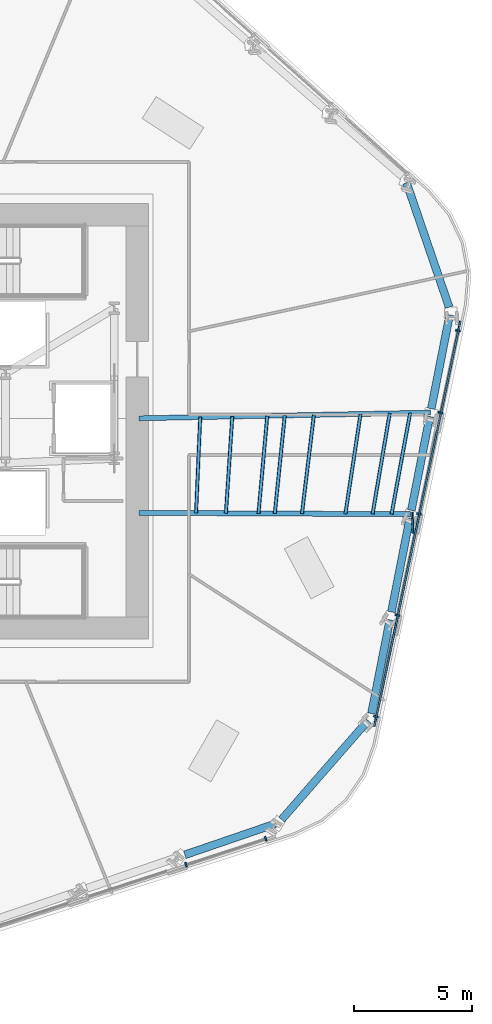
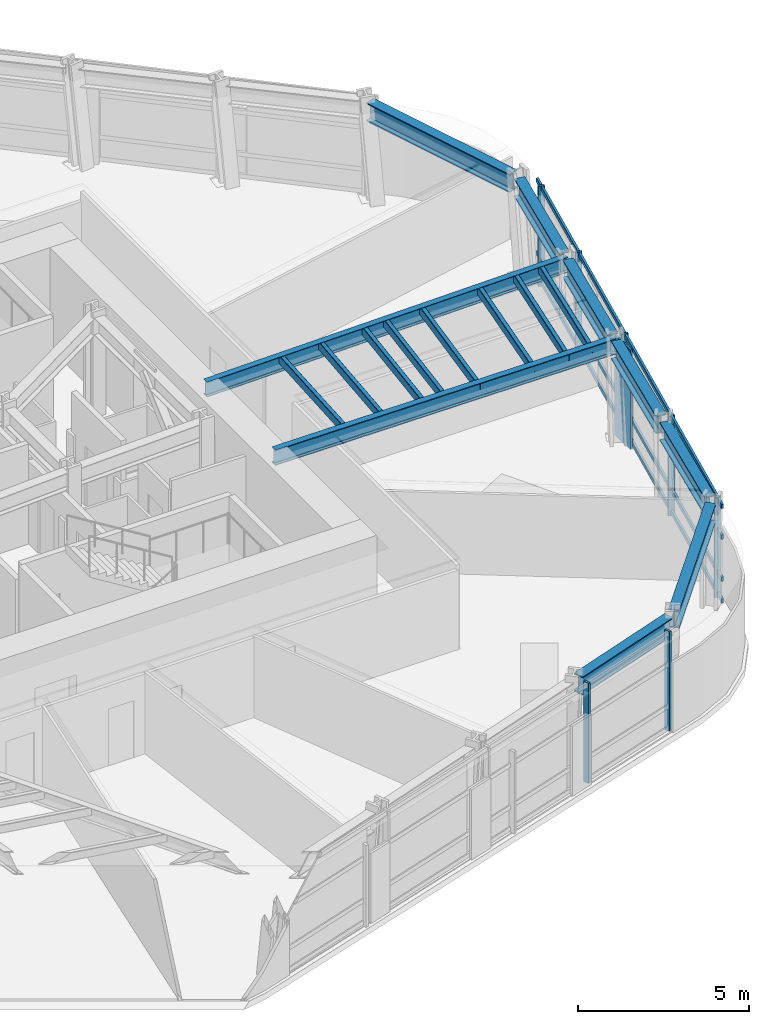
# One storey, part 5 of 16: 20 members, 9 beams, 2 elements without a shape of their own.
"""IFC4 building model written with IfcOpenShell, lengths in metres."""

from ifc_helpers import new_model, si_unit, direction, frame, origin, origin_2d, place, context, subcontext, project, spatial, rectangle, hollow_rectangle, i_section, extrude, material, layer, layer_set, material_profile, profile_set, type_object, element, aggregate, save


model = new_model("IFC4")

# Units and contexts
model_context = context("Model", 3, precision=1e-05, world=origin(), true_north=direction((0.0, 1.0)))
body_context = subcontext(model_context, "Body", "Model", "MODEL_VIEW")
ifc_project = project(units=[si_unit("LENGTHUNIT", "METRE"), si_unit("AREAUNIT", "SQUARE_METRE"), si_unit("VOLUMEUNIT", "CUBIC_METRE"), si_unit("PLANEANGLEUNIT", "RADIAN"), si_unit("MASSUNIT", "GRAM", prefix="KILO")], contexts=[model_context])

# Site, building, storey
site_placement = place(None, origin())
site = spatial("IfcSite", under=ifc_project, at=site_placement, CompositionType="ELEMENT")
building_placement = place(site_placement, origin())
building = spatial("IfcBuilding", under=site, at=building_placement, Name="Valkerne Bourse Tower", CompositionType="ELEMENT")
storey_placement = place(building_placement, frame((0.0, 0.0, 101.0)))
storey = spatial("IfcBuildingStorey", under=building, at=storey_placement, Name="L25", CompositionType="ELEMENT", Elevation=101.0)

# Beams
ifc_material_1 = material(Name="Steel ASTM A992", Category="steel")
ifc_material_profile_1 = material_profile(ifc_material_1, i_section(OverallWidth=0.209228515625, OverallDepth=0.533447265625, WebThickness=0.01025390625, FlangeThickness=0.015625, FilletRadius=0.017822265625, at=origin_2d()), Name="W21X62")
ifc_profile_set_1 = profile_set([ifc_material_profile_1], Name="Steel ASTM A992")
beam_type_1 = type_object("IfcBeamType", Name="BM-W21X62", PredefinedType="JOIST", material=ifc_profile_set_1)
beam_1_placement = place(storey_placement, frame((68.3369140625, 27.2412109375, 3.313232421875), z_axis=(-0.999808915076, -0.019548230984, 0.0), x_axis=(0.019548230984, -0.999808915076, 0.0)))
element("IfcBeam", 1, at=beam_1_placement, inside=storey, type_object=beam_type_1, Name="L25 Radial Composite Floor Beam 28", PredefinedType="JOIST", context=body_context, shape_type="SweptSolid", body=[
    extrude(i_section(OverallWidth=0.209228515625, OverallDepth=0.533447265625, WebThickness=0.01025390625, FlangeThickness=0.015625, FilletRadius=0.017822265625, at=origin_2d()), origin(), (0.0, 0.0, 1.0), 12.33935546875),
])
ifc_material_profile_2 = material_profile(ifc_material_1, i_section(OverallWidth=0.2138671875, OverallDepth=0.548583984375, WebThickness=0.0146484375, FlangeThickness=0.023681640625, FilletRadius=0.017822265625, at=origin_2d()), Name="W21X93")
ifc_profile_set_2 = profile_set([ifc_material_profile_2], Name="Steel ASTM A992")
beam_type_2 = type_object("IfcBeamType", Name="BM-W21X93", PredefinedType="BEAM", material=ifc_profile_set_2)
beam_2_placement = place(storey_placement, frame((67.4931640625, 22.940185546875, 3.3056640625), z_axis=(-0.999986457643, 0.005204279933, 0.0), x_axis=(-0.005204279933, -0.999986457643, 0.0)))
element("IfcBeam", 2, at=beam_2_placement, inside=storey, type_object=beam_type_2, Name="L25 Radial Composite Floor Beam 27", PredefinedType="BEAM", context=body_context, shape_type="SweptSolid", body=[
    extrude(i_section(OverallWidth=0.2138671875, OverallDepth=0.548583984375, WebThickness=0.0146484375, FlangeThickness=0.023681640625, FilletRadius=0.017822265625, at=origin_2d()), origin(), (0.0, 0.0, 1.0), 11.493408203125),
])
ifc_material_profile_3 = material_profile(ifc_material_1, i_section(OverallWidth=0.330078125, OverallDepth=0.647705078125, WebThickness=0.0205078125, FlangeThickness=0.037109375, FilletRadius=0.020263671875, at=origin_2d()), Name="W24X192")
ifc_profile_set_3 = profile_set([ifc_material_profile_3], Name="Steel ASTM A992")
beam_type_3 = type_object("IfcBeamType", Name="BM-W24X192", PredefinedType="SPANDREL", material=ifc_profile_set_3)
beam_3_placement = place(storey_placement, frame((57.938232421875, 8.52392578125, 3.256103515625), z_axis=(0.946085599933, 0.323916713987, 0.0), x_axis=(-0.323916713987, 0.946085599933, 0.0)))
element("IfcBeam", 3, at=beam_3_placement, inside=storey, type_object=beam_type_3, Name="L25 Hexagonal Spandrel Ring Beam 23", PredefinedType="SPANDREL", context=body_context, shape_type="SweptSolid", body=[
    extrude(i_section(OverallWidth=0.330078125, OverallDepth=0.647705078125, WebThickness=0.0205078125, FlangeThickness=0.037109375, FilletRadius=0.020263671875, at=origin_2d()), origin(), (0.0, 0.0, 1.0), 4.04296875),
])
beam_4_placement = place(storey_placement, frame((62.035888671875, 10.016845703125, 3.256103515625), z_axis=(0.657382534792, 0.753557033642, 0.0), x_axis=(-0.753557033642, 0.657382534792, 0.0)))
element("IfcBeam", 4, at=beam_4_placement, inside=storey, type_object=beam_type_3, Name="L25 Hexagonal Spandrel Ring Beam 24", PredefinedType="SPANDREL", context=body_context, shape_type="SweptSolid", body=[
    extrude(i_section(OverallWidth=0.330078125, OverallDepth=0.647705078125, WebThickness=0.0205078125, FlangeThickness=0.037109375, FilletRadius=0.020263671875, at=origin_2d()), origin(), (0.0, 0.0, 1.0), 5.564453125),
])
for number, where, z_axis, x_axis, name in (
    (5, (65.83837890625, 14.5048828125, 3.256103515625), (0.192503392383, 0.981296307912, 0.0), (-0.981296307912, 0.192503392383, 0.0), "L25 Hexagonal Spandrel Ring Beam 25"),
    (6, (66.68212890625, 18.805908203125, 3.256103515625), (0.192503392383, 0.981296307912, 0.0), (-0.981296307912, 0.192503392383, 0.0), "L25 Hexagonal Spandrel Ring Beam 26"),
    (7, (67.52587890625, 23.10693359375, 3.256103515625), (0.192503392383, 0.981296307912, 0.0), (-0.981296307912, 0.192503392383, 0.0), "L25 Hexagonal Spandrel Ring Beam 27"),
    (8, (68.36962890625, 27.407958984375, 3.256103515625), (0.192561537444, 0.981284899658, 0.0), (-0.981284899658, 0.192561537444, 0.0), "L25 Hexagonal Spandrel Ring Beam 28"),
):
    element("IfcBeam", number, at=place(storey_placement, frame(where, z_axis=z_axis, x_axis=x_axis)), inside=storey, type_object=beam_type_3, Name=name, PredefinedType="SPANDREL", context=body_context, shape_type="SweptSolid", body=[
        extrude(i_section(OverallWidth=0.330078125, OverallDepth=0.647705078125, WebThickness=0.0205078125, FlangeThickness=0.037109375, FilletRadius=0.020263671875, at=origin_2d()), origin(), (0.0, 0.0, 1.0), 4.043212890625),
    ])
beam_5_placement = place(storey_placement, frame((69.125732421875, 31.702880859375, 3.256103515625), z_axis=(-0.323877856651, 0.946098902848, 0.0), x_axis=(-0.946098902848, -0.323877856651, 0.0)))
element("IfcBeam", 9, at=beam_5_placement, inside=storey, type_object=beam_type_3, Name="L25 Hexagonal Spandrel Ring Beam 29", PredefinedType="SPANDREL", context=body_context, shape_type="SweptSolid", body=[
    extrude(i_section(OverallWidth=0.330078125, OverallDepth=0.647705078125, WebThickness=0.0205078125, FlangeThickness=0.037109375, FilletRadius=0.020263671875, at=origin_2d()), origin(), (0.0, 0.0, 1.0), 5.564697265625),
])

# Curtain wall, members
ifc_material_2 = material(Name="Aluminium AA 6063-T6", Category="aluminium")
ifc_layer = layer(ifc_material_2, 0.22998046875)
ifc_layer_set = layer_set([ifc_layer], Name="Aluminium AA 6063-T6")
curtain_wall_type = type_object("IfcCurtainWallType", Name="CW-02", PredefinedType="NOTDEFINED", material=ifc_layer_set)
curtain_wall_1_placement = place(storey_placement, origin())
curtain_wall_1 = element("IfcCurtainWall", 10, at=curtain_wall_1_placement, inside=storey, type_object=curtain_wall_type, Name="L25 Hexagonal Stick Curtain Wall Face 5", PredefinedType="NOTDEFINED")
ifc_material_profile_4 = material_profile(ifc_material_2, rectangle(XDim=0.074951171875, YDim=0.199951171875, at=origin_2d()), Name="CWM-75X200")
ifc_profile_set_4 = profile_set([ifc_material_profile_4], Name="Aluminium AA 6063-T6")
member_type_1 = type_object("IfcMemberType", Name="CW-MUL-220X75", PredefinedType="MULLION", material=ifc_profile_set_4)
member_1_placement = place(storey_placement, frame((57.989501953125, 8.105224609375, 0.0), z_axis=(0.0, 0.0, 1.0), x_axis=(0.951058377242, 0.309011266911, 0.0)))
member_1 = element("IfcMember", 11, at=member_1_placement, type_object=member_type_1, Name="CW-L25-F5 Jamb Mullion 03A", PredefinedType="MULLION", context=body_context, shape_type="SweptSolid", body=[
    extrude(rectangle(XDim=0.074951171875, YDim=0.199951171875, at=origin_2d()), origin(), (0.0, 0.0, 1.0), 3.580078125),
])
member_2_placement = place(storey_placement, frame((61.35888671875, 9.2001953125, 0.0), z_axis=(0.0, 0.0, 1.0), x_axis=(0.951058377242, 0.309011266911, 0.0)))
member_2 = element("IfcMember", 12, at=member_2_placement, type_object=member_type_1, Name="CW-L25-F5 Jamb Mullion 03B", PredefinedType="MULLION", context=body_context, shape_type="SweptSolid", body=[
    extrude(rectangle(XDim=0.074951171875, YDim=0.199951171875, at=origin_2d()), origin(), (0.0, 0.0, 1.0), 3.580078125),
])
aggregate(curtain_wall_1, [member_1, member_2])

curtain_wall_2_placement = place(storey_placement, origin())
curtain_wall_2 = element("IfcCurtainWall", 13, at=curtain_wall_2_placement, inside=storey, type_object=curtain_wall_type, Name="L25 Hexagonal Stick Curtain Wall Face 6", PredefinedType="NOTDEFINED")
member_3_placement = place(storey_placement, frame((66.024169921875, 14.38134765625, 0.0), z_axis=(0.0, 0.0, 1.0), x_axis=(0.207917695785, 0.978146324319, 0.0)))
member_3 = element("IfcMember", 14, at=member_3_placement, type_object=member_type_1, Name="CW-L25-F6 Jamb Mullion 00A", PredefinedType="MULLION", context=body_context, shape_type="SweptSolid", body=[
    extrude(rectangle(XDim=0.074951171875, YDim=0.199951171875, at=origin_2d()), origin(), (0.0, 0.0, 1.0), 3.580078125),
])
member_4_placement = place(storey_placement, frame((66.935546875, 18.66845703125, 0.0), z_axis=(0.0, 0.0, 1.0), x_axis=(0.207917695785, 0.978146324319, 0.0)))
member_4 = element("IfcMember", 15, at=member_4_placement, type_object=member_type_1, Name="CW-L25-F6 Jamb Mullion 01A", PredefinedType="MULLION", context=body_context, shape_type="SweptSolid", body=[
    extrude(rectangle(XDim=0.074951171875, YDim=0.199951171875, at=origin_2d()), origin(), (0.0, 0.0, 1.0), 3.580078125),
])
member_5_placement = place(storey_placement, frame((67.8466796875, 22.955810546875, 0.0), z_axis=(0.0, 0.0, 1.0), x_axis=(0.207917695785, 0.978146324319, 0.0)))
member_5 = element("IfcMember", 16, at=member_5_placement, type_object=member_type_1, Name="CW-L25-F6 Jamb Mullion 02A", PredefinedType="MULLION", context=body_context, shape_type="SweptSolid", body=[
    extrude(rectangle(XDim=0.074951171875, YDim=0.199951171875, at=origin_2d()), origin(), (0.0, 0.0, 1.0), 3.580078125),
])
member_6_placement = place(storey_placement, frame((68.758056640625, 27.242919921875, 0.0), z_axis=(0.0, 0.0, 1.0), x_axis=(0.207913055801, 0.978147310597, 0.0)))
member_6 = element("IfcMember", 17, at=member_6_placement, type_object=member_type_1, Name="CW-L25-F6 Jamb Mullion 03A", PredefinedType="MULLION", context=body_context, shape_type="SweptSolid", body=[
    extrude(rectangle(XDim=0.074951171875, YDim=0.199951171875, at=origin_2d()), origin(), (0.0, 0.0, 1.0), 3.580078125),
])
member_7_placement = place(storey_placement, frame((69.49462890625, 30.70849609375, 0.0), z_axis=(0.0, 0.0, 1.0), x_axis=(0.207913055801, 0.978147310597, 0.0)))
member_7 = element("IfcMember", 18, at=member_7_placement, type_object=member_type_1, Name="CW-L25-F6 Jamb Mullion 03B", PredefinedType="MULLION", context=body_context, shape_type="SweptSolid", body=[
    extrude(rectangle(XDim=0.074951171875, YDim=0.199951171875, at=origin_2d()), origin(), (0.0, 0.0, 1.0), 3.580078125),
])
ifc_material_profile_5 = material_profile(ifc_material_2, rectangle(XDim=0.074951171875, YDim=0.14990234375, at=origin_2d()), Name="CWT-75X150")
ifc_profile_set_5 = profile_set([ifc_material_profile_5], Name="Aluminium AA 6063-T6")
member_type_2 = type_object("IfcMemberType", Name="CW-TRN-180X65", PredefinedType="USERDEFINED", material=ifc_profile_set_5)
member_8_placement = place(storey_placement, frame((65.956298828125, 13.96630859375, 0.1201171875), z_axis=(0.207919711442, 0.978145895863, 0.0), x_axis=(-0.978145895863, 0.207919711442, 0.0)))
member_8 = element("IfcMember", 19, at=member_8_placement, type_object=member_type_2, Name="CW-L25-F6 Continuous Face Transom 1", ObjectType="TRANSOM", PredefinedType="USERDEFINED", context=body_context, shape_type="SweptSolid", body=[
    extrude(rectangle(XDim=0.074951171875, YDim=0.14990234375, at=origin_2d()), origin(), (0.0, 0.0, 1.0), 17.531982421875),
])
member_9_placement = place(storey_placement, frame((65.956298828125, 13.96630859375, 0.89990234375), z_axis=(0.207919711442, 0.978145895863, 0.0), x_axis=(-0.978145895863, 0.207919711442, 0.0)))
member_9 = element("IfcMember", 20, at=member_9_placement, type_object=member_type_2, Name="CW-L25-F6 Continuous Face Transom 2", ObjectType="TRANSOM", PredefinedType="USERDEFINED", context=body_context, shape_type="SweptSolid", body=[
    extrude(rectangle(XDim=0.074951171875, YDim=0.14990234375, at=origin_2d()), origin(), (0.0, 0.0, 1.0), 17.531982421875),
])
member_10_placement = place(storey_placement, frame((65.956298828125, 13.96630859375, 2.39990234375), z_axis=(0.207919711442, 0.978145895863, 0.0), x_axis=(-0.978145895863, 0.207919711442, 0.0)))
member_10 = element("IfcMember", 21, at=member_10_placement, type_object=member_type_2, Name="CW-L25-F6 Continuous Face Transom 3", ObjectType="TRANSOM", PredefinedType="USERDEFINED", context=body_context, shape_type="SweptSolid", body=[
    extrude(rectangle(XDim=0.074951171875, YDim=0.14990234375, at=origin_2d()), origin(), (0.0, 0.0, 1.0), 17.531982421875),
])
member_11_placement = place(storey_placement, frame((65.956298828125, 13.96630859375, 3.5), z_axis=(0.207919711442, 0.978145895863, 0.0), x_axis=(-0.978145895863, 0.207919711442, 0.0)))
member_11 = element("IfcMember", 22, at=member_11_placement, type_object=member_type_2, Name="CW-L25-F6 Continuous Face Transom 4", ObjectType="TRANSOM", PredefinedType="USERDEFINED", context=body_context, shape_type="SweptSolid", body=[
    extrude(rectangle(XDim=0.074951171875, YDim=0.14990234375, at=origin_2d()), origin(), (0.0, 0.0, 1.0), 17.531982421875),
])
aggregate(curtain_wall_2, [member_8, member_9, member_10, member_11, member_3, member_4, member_5, member_6, member_7])

# Members
ifc_material_3 = material(Name="Bronze Anodised Aluminium AA 6063-T6", Category="aluminium")
ifc_material_profile_6 = material_profile(ifc_material_3, rectangle(XDim=0.070068359375, YDim=0.89990234375, at=origin_2d()), Name="FIN-70X900")
ifc_profile_set_6 = profile_set([ifc_material_profile_6], Name="Bronze Anodised Aluminium AA 6063-T6")
member_type_3 = type_object("IfcMemberType", Name="FIN-SOLAR-900", PredefinedType="USERDEFINED", material=ifc_profile_set_6)
member_12_placement = place(storey_placement, frame((67.58349609375, 22.582275390625, 0.00390625), z_axis=(0.0, 0.0, 1.0), x_axis=(0.999938415762, 0.011097958488, 0.0)))
element("IfcMember", 23, at=member_12_placement, inside=storey, type_object=member_type_3, Name="L25 Bronze Anodised Solar Fin F6-02", ObjectType="SOLAR_FIN", PredefinedType="USERDEFINED", context=body_context, shape_type="SweptSolid", body=[
    extrude(rectangle(XDim=0.070068359375, YDim=0.89990234375, at=origin_2d()), origin(), (0.0, 0.0, 1.0), 3.572021484375),
])
ifc_material_4 = material(Name="Steel ASTM A500 Grade C", Category="steel")
ifc_material_profile_7 = material_profile(ifc_material_4, hollow_rectangle(XDim=0.14990234375, YDim=0.300048828125, WallThickness=0.012451171875, OuterFilletRadius=0.02490234375, at=origin_2d()), Name="HSS300X150X12.5")
ifc_profile_set_7 = profile_set([ifc_material_profile_7], Name="Steel ASTM A500 Grade C")
member_type_4 = type_object("IfcMemberType", Name="MBR-HSS300X150X12.5", PredefinedType="PURLIN", material=ifc_profile_set_7)
member_13_placement = place(storey_placement, frame((59.677734375, 22.98095703125, 3.419921875), z_axis=(0.065776898107, 0.997834354828, 0.0), x_axis=(-0.997834354828, 0.065776898107, 0.0)))
element("IfcMember", 24, at=member_13_placement, inside=storey, type_object=member_type_4, Name="L25 Secondary Composite Floor Purlin I-27", PredefinedType="PURLIN", context=body_context, shape_type="SweptSolid", body=[
    extrude(hollow_rectangle(XDim=0.14990234375, YDim=0.300048828125, WallThickness=0.012451171875, OuterFilletRadius=0.02490234375, at=origin_2d()), origin(), (0.0, 0.0, 1.0), 4.10498046875),
])
member_14_placement = place(storey_placement, frame((61.056884765625, 22.9736328125, 3.419921875), z_axis=(0.089495865871, 0.995987193689, 0.0), x_axis=(-0.995987193689, 0.089495865871, 0.0)))
element("IfcMember", 25, at=member_14_placement, inside=storey, type_object=member_type_4, Name="L25 Secondary Composite Floor Purlin K-27", PredefinedType="PURLIN", context=body_context, shape_type="SweptSolid", body=[
    extrude(hollow_rectangle(XDim=0.14990234375, YDim=0.300048828125, WallThickness=0.012451171875, OuterFilletRadius=0.02490234375, at=origin_2d()), origin(), (0.0, 0.0, 1.0), 4.149169921875),
])
member_15_placement = place(storey_placement, frame((61.74658203125, 22.97021484375, 3.419921875), z_axis=(0.10112597823, 0.994873628421, 0.0), x_axis=(-0.994873628421, 0.10112597823, 0.0)))
element("IfcMember", 26, at=member_15_placement, inside=storey, type_object=member_type_4, Name="L25 Secondary Composite Floor Purlin M-27", PredefinedType="PURLIN", context=body_context, shape_type="SweptSolid", body=[
    extrude(hollow_rectangle(XDim=0.14990234375, YDim=0.300048828125, WallThickness=0.012451171875, OuterFilletRadius=0.02490234375, at=origin_2d()), origin(), (0.0, 0.0, 1.0), 4.171875),
])
member_16_placement = place(storey_placement, frame((64.73486328125, 22.95458984375, 3.419921875), z_axis=(0.149950795049, 0.988693460616, 0.0), x_axis=(-0.988693460616, 0.149950795049, 0.0)))
element("IfcMember", 27, at=member_16_placement, inside=storey, type_object=member_type_4, Name="L25 Secondary Composite Floor Purlin O-27", PredefinedType="PURLIN", context=body_context, shape_type="SweptSolid", body=[
    extrude(hollow_rectangle(XDim=0.14990234375, YDim=0.300048828125, WallThickness=0.012451171875, OuterFilletRadius=0.02490234375, at=origin_2d()), origin(), (0.0, 0.0, 1.0), 4.277099609375),
])
member_17_placement = place(storey_placement, frame((62.89599609375, 22.964111328125, 3.419921875), z_axis=(0.120180737867, 0.992752028578, 0.0), x_axis=(-0.992752028578, 0.120180737867, 0.0)))
element("IfcMember", 28, at=member_17_placement, inside=storey, type_object=member_type_4, Name="L25 Secondary Composite Floor Purlin Z-27", PredefinedType="PURLIN", context=body_context, shape_type="SweptSolid", body=[
    extrude(hollow_rectangle(XDim=0.14990234375, YDim=0.300048828125, WallThickness=0.012451171875, OuterFilletRadius=0.02490234375, at=origin_2d()), origin(), (0.0, 0.0, 1.0), 4.211181640625),
])
member_18_placement = place(storey_placement, frame((58.41357421875, 22.9873046875, 3.419921875), z_axis=(0.04357788535, 0.999050032735, 0.0), x_axis=(-0.999050032735, 0.04357788535, 0.0)))
element("IfcMember", 29, at=member_18_placement, inside=storey, type_object=member_type_4, Name="L25 Secondary Composite Floor Purlin S-27", PredefinedType="PURLIN", context=body_context, shape_type="SweptSolid", body=[
    extrude(hollow_rectangle(XDim=0.14990234375, YDim=0.300048828125, WallThickness=0.012451171875, OuterFilletRadius=0.02490234375, at=origin_2d()), origin(), (0.0, 0.0, 1.0), 4.0673828125),
])
member_19_placement = place(storey_placement, frame((65.88427734375, 22.948486328125, 3.419921875), z_axis=(0.167944235566, 0.985796497123, 0.0), x_axis=(-0.985796497123, 0.167944235566, 0.0)))
element("IfcMember", 30, at=member_19_placement, inside=storey, type_object=member_type_4, Name="L25 Secondary Composite Floor Purlin T-27", PredefinedType="PURLIN", context=body_context, shape_type="SweptSolid", body=[
    extrude(hollow_rectangle(XDim=0.14990234375, YDim=0.300048828125, WallThickness=0.012451171875, OuterFilletRadius=0.02490234375, at=origin_2d()), origin(), (0.0, 0.0, 1.0), 4.3203125),
])
member_20_placement = place(storey_placement, frame((66.688720703125, 22.9443359375, 3.419921875), z_axis=(0.180326964149, 0.983606723239, 0.0), x_axis=(-0.983606723239, 0.180326964149, 0.0)))
element("IfcMember", 31, at=member_20_placement, inside=storey, type_object=member_type_4, Name="L25 Secondary Composite Floor Purlin U-27", PredefinedType="PURLIN", context=body_context, shape_type="SweptSolid", body=[
    extrude(hollow_rectangle(XDim=0.14990234375, YDim=0.300048828125, WallThickness=0.012451171875, OuterFilletRadius=0.02490234375, at=origin_2d()), origin(), (0.0, 0.0, 1.0), 4.351318359375),
])

save(model, "model.ifc")
